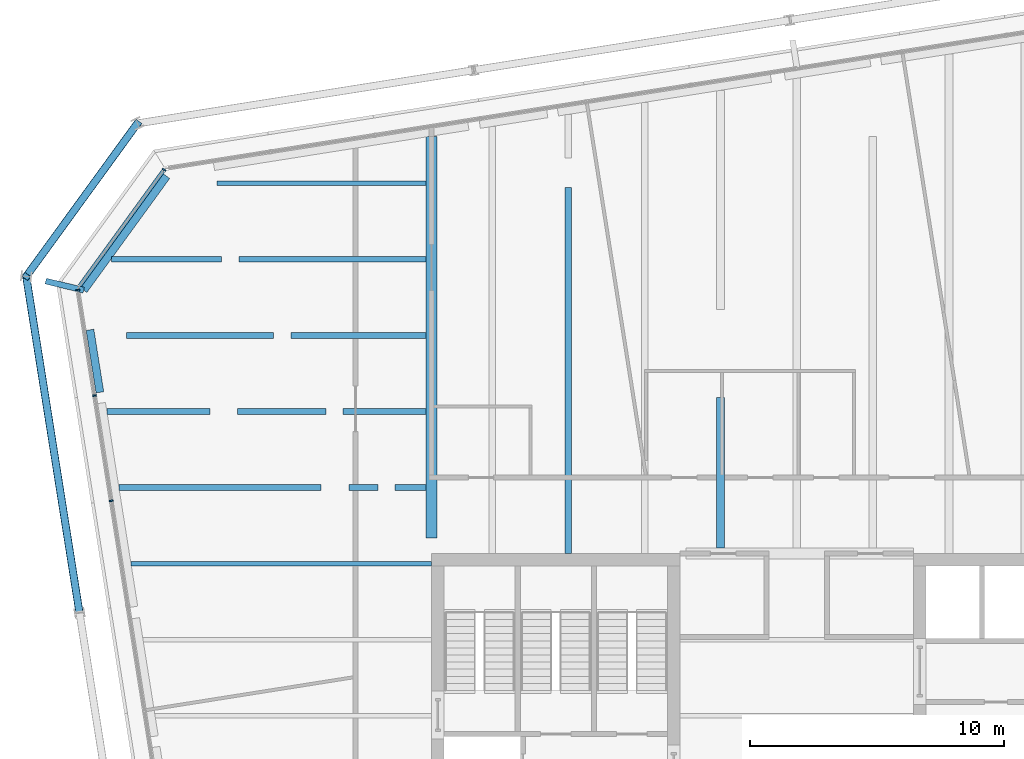
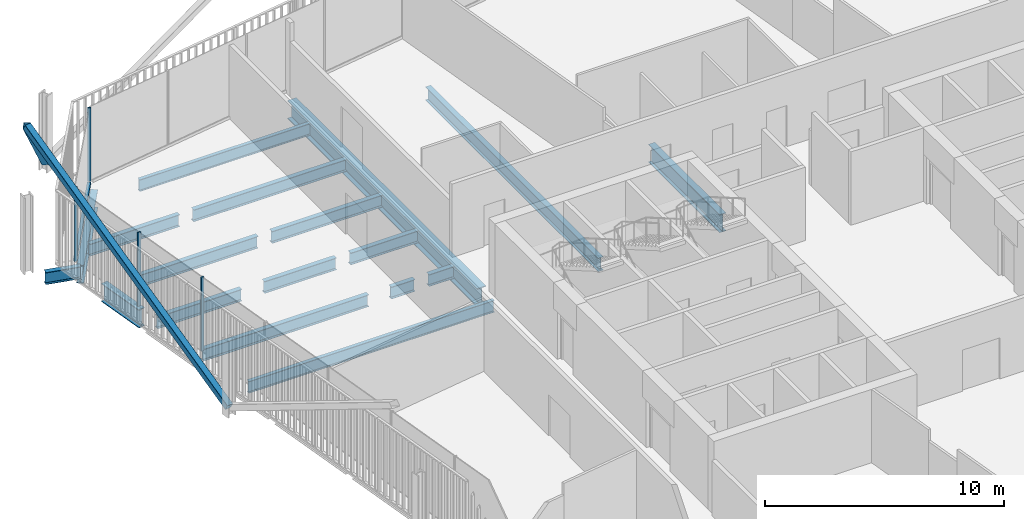
# One storey, part 10 of 20: 18 beams, 7 members, 2 elements without a shape of their own.
"""IFC4 building model written with IfcOpenShell, lengths in metres."""

from ifc_helpers import new_model, si_unit, direction, frame, origin, origin_2d, place, context, subcontext, project, spatial, rectangle, hollow_rectangle, i_section, extrude, material, layer, layer_set, material_profile, profile_set, type_object, element, aggregate, save


model = new_model("IFC4")

# Units and contexts
model_context = context("Model", 3, precision=1e-05, world=origin(), true_north=direction((0.0, 1.0)))
body_context = subcontext(model_context, "Body", "Model", "MODEL_VIEW")
ifc_project = project(units=[si_unit("LENGTHUNIT", "METRE"), si_unit("AREAUNIT", "SQUARE_METRE"), si_unit("VOLUMEUNIT", "CUBIC_METRE"), si_unit("PLANEANGLEUNIT", "RADIAN"), si_unit("MASSUNIT", "GRAM", prefix="KILO")], contexts=[model_context])

# Site, building, storey
site_placement = place(None, origin())
site = spatial("IfcSite", under=ifc_project, at=site_placement, CompositionType="ELEMENT")
building_placement = place(site_placement, origin())
building = spatial("IfcBuilding", under=site, at=building_placement, Name="Millrace Tower", CompositionType="ELEMENT")
storey_placement = place(building_placement, frame((0.0, 0.0, 204.699951171875)))
storey = spatial("IfcBuildingStorey", under=building, at=storey_placement, Name="L46", CompositionType="ELEMENT", Elevation=204.699951171875)

# Curtain wall, member
ifc_material_1 = material(Name="Aluminium and glass", Category="aluminium")
ifc_layer = layer(ifc_material_1, 0.14990234375)
ifc_layer_set = layer_set([ifc_layer], Name="Aluminium and glass")
curtain_wall_type = type_object("IfcCurtainWallType", Name="CW-1 office vision curtain wall", PredefinedType="NOTDEFINED", material=ifc_layer_set)
placement = place(storey_placement, origin())
curtain_wall_1 = element("IfcCurtainWall", 1, at=placement, inside=storey, type_object=curtain_wall_type, Name="Curtain wall D-F07 L46", PredefinedType="NOTDEFINED")
ifc_material_2 = material(Name="Aluminium", Category="aluminium")
ifc_material_profile_1 = material_profile(ifc_material_2, rectangle(XDim=0.06494140625, YDim=0.14990234375, at=origin_2d()))
ifc_profile_set_1 = profile_set([ifc_material_profile_1], Name="Aluminium")
member_type_1 = type_object("IfcMemberType", Name="CW-1 office vision curtain wall mullion", PredefinedType="MULLION", material=ifc_profile_set_1)
member_1_placement = place(storey_placement, frame((-24.945068359375, 24.528076171875, 0.14013671875), z_axis=(0.0, 0.0, 1.0), x_axis=(-0.587785305991, -0.809016955361, 0.0)))
member_1 = element("IfcMember", 2, at=member_1_placement, type_object=member_type_1, Name="CW1 mullion D-F07.1", PredefinedType="MULLION", context=body_context, shape_type="SweptSolid", body=[
    extrude(rectangle(XDim=0.06494140625, YDim=0.14990234375, at=origin_2d()), origin(), (0.0, 0.0, 1.0), 3.760009765625),
])

# Curtain wall, members
curtain_wall_2 = element("IfcCurtainWall", 3, at=placement, inside=storey, type_object=curtain_wall_type, Name="Curtain wall D-F08 L46", PredefinedType="NOTDEFINED")
member_2_placement = place(storey_placement, frame((-28.342529296875, 19.775390625, 0.14013671875), z_axis=(0.0, 0.0, 1.0), x_axis=(0.156434471884, -0.987688339511, 0.0)))
member_2 = element("IfcMember", 4, at=member_2_placement, type_object=member_type_1, Name="CW1 mullion D-F08.1", PredefinedType="MULLION", context=body_context, shape_type="SweptSolid", body=[
    extrude(rectangle(XDim=0.06494140625, YDim=0.14990234375, at=origin_2d()), origin(), (0.0, 0.0, 1.0), 3.760009765625),
])
member_3_placement = place(storey_placement, frame((-27.685302734375, 15.627197265625, 0.14013671875), z_axis=(0.0, 0.0, 1.0), x_axis=(0.156434471884, -0.987688339511, 0.0)))
member_3 = element("IfcMember", 5, at=member_3_placement, type_object=member_type_1, Name="CW1 mullion D-F08.2", PredefinedType="MULLION", context=body_context, shape_type="SweptSolid", body=[
    extrude(rectangle(XDim=0.06494140625, YDim=0.14990234375, at=origin_2d()), origin(), (0.0, 0.0, 1.0), 3.760009765625),
])
member_4_placement = place(storey_placement, frame((-27.0283203125, 11.47900390625, 0.14013671875), z_axis=(0.0, 0.0, 1.0), x_axis=(0.156434471884, -0.987688339511, 0.0)))
member_4 = element("IfcMember", 6, at=member_4_placement, type_object=member_type_1, Name="CW1 mullion D-F08.3", PredefinedType="MULLION", context=body_context, shape_type="SweptSolid", body=[
    extrude(rectangle(XDim=0.06494140625, YDim=0.14990234375, at=origin_2d()), origin(), (0.0, 0.0, 1.0), 3.760009765625),
])
aggregate(curtain_wall_2, [member_2, member_3, member_4])

# Member
ifc_material_3 = material(Name="Aluminium", Category="aluminium")
ifc_material_profile_2 = material_profile(ifc_material_3, rectangle(XDim=0.14990234375, YDim=0.139892578125, at=origin_2d()))
ifc_profile_set_2 = profile_set([ifc_material_profile_2], Name="Aluminium")
member_type_2 = type_object("IfcMemberType", Name="CW-1 office vision curtain wall transom", PredefinedType="USERDEFINED", material=ifc_profile_set_2)
member_5_placement = place(storey_placement, frame((-24.98486328125, 24.473388671875, 0.070068359375), z_axis=(-0.587782670904, -0.809018869857, 0.0), x_axis=(0.809018869857, -0.587782670904, 0.0)))
member_5 = element("IfcMember", 7, at=member_5_placement, type_object=member_type_2, Name="CW1 transom D-F07.1", ObjectType="TRANSOM", PredefinedType="USERDEFINED", context=body_context, shape_type="SweptSolid", body=[
    extrude(rectangle(XDim=0.14990234375, YDim=0.139892578125, at=origin_2d()), origin(), (0.0, 0.0, 1.0), 5.59814453125),
])

aggregate(curtain_wall_1, [member_1, member_5])

# Members
ifc_material_4 = material(Name="Steel ASTM A500 Grade C", Category="steel")
ifc_material_profile_3 = material_profile(ifc_material_4, hollow_rectangle(XDim=0.3046875, YDim=0.3046875, WallThickness=0.0126953125, InnerFilletRadius=0.00634765625, OuterFilletRadius=0.01904296875, at=origin_2d()))
ifc_profile_set_3 = profile_set([ifc_material_profile_3], Name="Steel ASTM A500 Grade C")
member_type_3 = type_object("IfcMemberType", Name="Exoskeleton brace HSS12x12x1/2", PredefinedType="BRACE", material=ifc_profile_set_3)
member_6_placement = place(storey_placement, frame((-25.996337890625, 26.35595703125, 0.400146484375), z_axis=(-0.42850795905, -0.589774395252, 0.684504997598), x_axis=(0.809009310944, -0.587795827483, 0.0)))
element("IfcMember", 8, at=member_6_placement, inside=storey, type_object=member_type_3, Name="BRC-D-L46-13", PredefinedType="BRACE", context=body_context, shape_type="SweptSolid", body=[
    extrude(hollow_rectangle(XDim=0.3046875, YDim=0.3046875, WallThickness=0.0126953125, InnerFilletRadius=0.00634765625, OuterFilletRadius=0.01904296875, at=origin_2d()), origin(), (0.0, 0.0, 1.0), 10.226318359375),
])
member_7_placement = place(storey_placement, frame((-28.27783203125, 7.0615234375, 0.400146484375), z_axis=(-0.138712380788, 0.87583551821, 0.462245627841), x_axis=(-0.987689444837, -0.156427492975, 0.0)))
element("IfcMember", 9, at=member_7_placement, inside=storey, type_object=member_type_3, Name="BRC-D-L46-14", PredefinedType="BRACE", context=body_context, shape_type="SweptSolid", body=[
    extrude(hollow_rectangle(XDim=0.3046875, YDim=0.3046875, WallThickness=0.0126953125, InnerFilletRadius=0.00634765625, OuterFilletRadius=0.01904296875, at=origin_2d()), origin(), (0.0, 0.0, 1.0), 15.1435546875),
])

# Beams
ifc_material_5 = material(Name="Steel ASTM A992 Grade 50", Category="steel")
ifc_material_profile_4 = material_profile(ifc_material_5, i_section(OverallWidth=0.1787109375, OverallDepth=0.60205078125, WebThickness=0.010986328125, FlangeThickness=0.014892578125, FilletRadius=0.0126953125, at=origin_2d()))
ifc_profile_set_4 = profile_set([ifc_material_profile_4], Name="Steel ASTM A992 Grade 50")
beam_type_1 = type_object("IfcBeamType", Name="Floor beam W24x62", PredefinedType="JOIST", material=ifc_profile_set_4)
beam_1_placement = place(storey_placement, frame((-26.248779296875, 9.0, -0.4609375), z_axis=(1.0, 0.0, 0.0), x_axis=(0.0, 1.0, 0.0)))
element("IfcBeam", 10, at=beam_1_placement, inside=storey, type_object=beam_type_1, Name="BM-D-L46-S1-S023", PredefinedType="JOIST", context=body_context, shape_type="SweptSolid", body=[
    extrude(i_section(OverallWidth=0.1787109375, OverallDepth=0.60205078125, WebThickness=0.010986328125, FlangeThickness=0.014892578125, FilletRadius=0.0126953125, at=origin_2d()), origin(), (0.0, 0.0, 1.0), 11.848876953125),
])
beam_2_placement = place(storey_placement, frame((-22.857421875, 24.0, -0.4609375), z_axis=(1.0, 0.0, 0.0), x_axis=(0.0, 1.0, 0.0)))
element("IfcBeam", 11, at=beam_2_placement, inside=storey, type_object=beam_type_1, Name="BM-D-L46-S1-S033-b", PredefinedType="JOIST", context=body_context, shape_type="SweptSolid", body=[
    extrude(i_section(OverallWidth=0.1787109375, OverallDepth=0.60205078125, WebThickness=0.010986328125, FlangeThickness=0.014892578125, FilletRadius=0.0126953125, at=origin_2d()), origin(), (0.0, 0.0, 1.0), 8.247802734375),
])
ifc_material_6 = material(Name="Steel ASTM A992 Grade 50", Category="steel")
ifc_material_profile_5 = material_profile(ifc_material_6, i_section(OverallWidth=0.228271484375, OverallDepth=0.607177734375, WebThickness=0.01123046875, FlangeThickness=0.017333984375, FilletRadius=0.0126953125, at=origin_2d()))
ifc_profile_set_5 = profile_set([ifc_material_profile_5], Name="Steel ASTM A992 Grade 50")
beam_type_2 = type_object("IfcBeamType", Name="Floor beam W24x76", PredefinedType="JOIST", material=ifc_profile_set_5)
beam_3_placement = place(storey_placement, frame((-15.8388671875, 12.0, -0.46337890625), z_axis=(1.0, 0.0, 0.0), x_axis=(0.0, 1.0, 0.0)))
element("IfcBeam", 12, at=beam_3_placement, inside=storey, type_object=beam_type_2, Name="BM-D-L46-S1-S025-b", PredefinedType="JOIST", context=body_context, shape_type="SweptSolid", body=[
    extrude(i_section(OverallWidth=0.228271484375, OverallDepth=0.607177734375, WebThickness=0.01123046875, FlangeThickness=0.017333984375, FilletRadius=0.0126953125, at=origin_2d()), origin(), (0.0, 0.0, 1.0), 1.229248046875),
])
beam_4_placement = place(storey_placement, frame((-17.890625, 15.0, -0.46337890625), z_axis=(1.0, 0.0, 0.0), x_axis=(0.0, 1.0, 0.0)))
element("IfcBeam", 13, at=beam_4_placement, inside=storey, type_object=beam_type_2, Name="BM-D-L46-S1-S027-b", PredefinedType="JOIST", context=body_context, shape_type="SweptSolid", body=[
    extrude(i_section(OverallWidth=0.228271484375, OverallDepth=0.607177734375, WebThickness=0.01123046875, FlangeThickness=0.017333984375, FilletRadius=0.0126953125, at=origin_2d()), origin(), (0.0, 0.0, 1.0), 3.281005859375),
])
beam_5_placement = place(storey_placement, frame((-19.9423828125, 18.0, -0.46337890625), z_axis=(1.0, 0.0, 0.0), x_axis=(0.0, 1.0, 0.0)))
element("IfcBeam", 14, at=beam_5_placement, inside=storey, type_object=beam_type_2, Name="BM-D-L46-S1-S029-b", PredefinedType="JOIST", context=body_context, shape_type="SweptSolid", body=[
    extrude(i_section(OverallWidth=0.228271484375, OverallDepth=0.607177734375, WebThickness=0.01123046875, FlangeThickness=0.017333984375, FilletRadius=0.0126953125, at=origin_2d()), origin(), (0.0, 0.0, 1.0), 5.332763671875),
])
beam_6_placement = place(storey_placement, frame((-26.723876953125, 12.0, -0.46337890625), z_axis=(1.0, 0.0, 0.0), x_axis=(0.0, 1.0, 0.0)))
element("IfcBeam", 15, at=beam_6_placement, inside=storey, type_object=beam_type_2, Name="BM-D-L46-S1-S025-a-a", PredefinedType="JOIST", context=body_context, shape_type="SweptSolid", body=[
    extrude(i_section(OverallWidth=0.228271484375, OverallDepth=0.607177734375, WebThickness=0.01123046875, FlangeThickness=0.017333984375, FilletRadius=0.0126953125, at=origin_2d()), origin(), (0.0, 0.0, 1.0), 7.97509765625),
])
beam_7_placement = place(storey_placement, frame((-17.65673828125, 12.0, -0.46337890625), z_axis=(1.0, 0.0, 0.0), x_axis=(0.0, 1.0, 0.0)))
element("IfcBeam", 16, at=beam_7_placement, inside=storey, type_object=beam_type_2, Name="BM-D-L46-S1-S025-a-b", PredefinedType="JOIST", context=body_context, shape_type="SweptSolid", body=[
    extrude(i_section(OverallWidth=0.228271484375, OverallDepth=0.607177734375, WebThickness=0.01123046875, FlangeThickness=0.017333984375, FilletRadius=0.0126953125, at=origin_2d()), origin(), (0.0, 0.0, 1.0), 1.139404296875),
])
beam_8_placement = place(storey_placement, frame((-27.198974609375, 15.0, -0.46337890625), z_axis=(1.0, 0.0, 0.0), x_axis=(0.0, 1.0, 0.0)))
element("IfcBeam", 17, at=beam_8_placement, inside=storey, type_object=beam_type_2, Name="BM-D-L46-S1-S027-a-a", PredefinedType="JOIST", context=body_context, shape_type="SweptSolid", body=[
    extrude(i_section(OverallWidth=0.228271484375, OverallDepth=0.607177734375, WebThickness=0.01123046875, FlangeThickness=0.017333984375, FilletRadius=0.0126953125, at=origin_2d()), origin(), (0.0, 0.0, 1.0), 4.062255859375),
])
beam_9_placement = place(storey_placement, frame((-22.04443359375, 15.0, -0.46337890625), z_axis=(1.0, 0.0, 0.0), x_axis=(0.0, 1.0, 0.0)))
element("IfcBeam", 18, at=beam_9_placement, inside=storey, type_object=beam_type_2, Name="BM-D-L46-S1-S027-a-b", PredefinedType="JOIST", context=body_context, shape_type="SweptSolid", body=[
    extrude(i_section(OverallWidth=0.228271484375, OverallDepth=0.607177734375, WebThickness=0.01123046875, FlangeThickness=0.017333984375, FilletRadius=0.0126953125, at=origin_2d()), origin(), (0.0, 0.0, 1.0), 3.475341796875),
])
beam_10_placement = place(storey_placement, frame((-26.432373046875, 18.0, -0.46337890625), z_axis=(1.0, 0.0, 0.0), x_axis=(0.0, 1.0, 0.0)))
element("IfcBeam", 19, at=beam_10_placement, inside=storey, type_object=beam_type_2, Name="BM-D-L46-S1-S029-a", PredefinedType="JOIST", context=body_context, shape_type="SweptSolid", body=[
    extrude(i_section(OverallWidth=0.228271484375, OverallDepth=0.607177734375, WebThickness=0.01123046875, FlangeThickness=0.017333984375, FilletRadius=0.0126953125, at=origin_2d()), origin(), (0.0, 0.0, 1.0), 5.8115234375),
])
beam_11_placement = place(storey_placement, frame((-27.0078125, 21.0, -0.46337890625), z_axis=(1.0, 0.0, 0.0), x_axis=(0.0, 1.0, 0.0)))
element("IfcBeam", 20, at=beam_11_placement, inside=storey, type_object=beam_type_2, Name="BM-D-L46-S1-S031-a", PredefinedType="JOIST", context=body_context, shape_type="SweptSolid", body=[
    extrude(i_section(OverallWidth=0.228271484375, OverallDepth=0.607177734375, WebThickness=0.01123046875, FlangeThickness=0.017333984375, FilletRadius=0.0126953125, at=origin_2d()), origin(), (0.0, 0.0, 1.0), 4.335205078125),
])
beam_12_placement = place(storey_placement, frame((-21.994140625, 21.0, -0.46337890625), z_axis=(1.0, 0.0, 0.0), x_axis=(0.0, 1.0, 0.0)))
element("IfcBeam", 21, at=beam_12_placement, inside=storey, type_object=beam_type_2, Name="BM-D-L46-S1-S031-b", PredefinedType="JOIST", context=body_context, shape_type="SweptSolid", body=[
    extrude(i_section(OverallWidth=0.228271484375, OverallDepth=0.607177734375, WebThickness=0.01123046875, FlangeThickness=0.017333984375, FilletRadius=0.0126953125, at=origin_2d()), origin(), (0.0, 0.0, 1.0), 7.384521484375),
])
ifc_material_7 = material(Name="Steel ASTM A992 Grade 50", Category="steel")
ifc_material_profile_6 = material_profile(ifc_material_7, i_section(OverallWidth=0.256591796875, OverallDepth=0.693359375, WebThickness=0.014404296875, FlangeThickness=0.023681640625, FilletRadius=0.01513671875, at=origin_2d()))
ifc_profile_set_6 = profile_set([ifc_material_profile_6], Name="Steel ASTM A992 Grade 50")
beam_type_3 = type_object("IfcBeamType", Name="Floor beam W27x114", PredefinedType="JOIST", material=ifc_profile_set_6)
beam_13_placement = place(storey_placement, frame((-9.0, 9.39990234375, -0.506591796875), z_axis=(0.0, 1.0, 0.0), x_axis=(-1.0, 0.0, 0.0)))
element("IfcBeam", 22, at=beam_13_placement, inside=storey, type_object=beam_type_3, Name="BM-D-L46-S1-S038-a", PredefinedType="JOIST", context=body_context, shape_type="SweptSolid", body=[
    extrude(i_section(OverallWidth=0.256591796875, OverallDepth=0.693359375, WebThickness=0.014404296875, FlangeThickness=0.023681640625, FilletRadius=0.01513671875, at=origin_2d()), origin(), (0.0, 0.0, 1.0), 14.4306640625),
])
ifc_material_8 = material(Name="Steel ASTM A992 Grade 50", Category="steel")
ifc_material_profile_7 = material_profile(ifc_material_8, i_section(OverallWidth=0.307373046875, OverallDepth=0.927001953125, WebThickness=0.01953125, FlangeThickness=0.031982421875, FilletRadius=0.01904296875, at=origin_2d()))
ifc_profile_set_7 = profile_set([ifc_material_profile_7], Name="Steel ASTM A992 Grade 50")
beam_type_4 = type_object("IfcBeamType", Name="Floor beam W36x194", PredefinedType="JOIST", material=ifc_profile_set_7)
beam_14_placement = place(storey_placement, frame((-3.0, 9.609619140625, -0.62353515625), z_axis=(0.0, 1.0, 0.0), x_axis=(-1.0, 0.0, 0.0)))
element("IfcBeam", 23, at=beam_14_placement, inside=storey, type_object=beam_type_4, Name="BM-D-L46-S1-S042-a", PredefinedType="JOIST", context=body_context, shape_type="SweptSolid", body=[
    extrude(i_section(OverallWidth=0.307373046875, OverallDepth=0.927001953125, WebThickness=0.01953125, FlangeThickness=0.031982421875, FilletRadius=0.01904296875, at=origin_2d()), origin(), (0.0, 0.0, 1.0), 5.933837890625),
])
ifc_material_9 = material(Name="Steel ASTM A992 Grade 50", Category="steel")
ifc_material_profile_8 = material_profile(ifc_material_9, i_section(OverallWidth=0.424072265625, OverallDepth=0.947509765625, WebThickness=0.02392578125, FlangeThickness=0.042724609375, FilletRadius=0.024169921875, at=origin_2d()))
ifc_profile_set_8 = profile_set([ifc_material_profile_8], Name="Steel ASTM A992 Grade 50")
beam_type_5 = type_object("IfcBeamType", Name="Girder medium span W36x302", PredefinedType="BEAM", material=ifc_profile_set_8)
beam_15_placement = place(storey_placement, frame((-14.39990234375, 10.0078125, -0.633544921875), z_axis=(0.0, 1.0, 0.0), x_axis=(-1.0, 0.0, 0.0)))
element("IfcBeam", 24, at=beam_15_placement, inside=storey, type_object=beam_type_5, Name="BM-D-L46-S1-G054", PredefinedType="BEAM", context=body_context, shape_type="SweptSolid", body=[
    extrude(i_section(OverallWidth=0.424072265625, OverallDepth=0.947509765625, WebThickness=0.02392578125, FlangeThickness=0.042724609375, FilletRadius=0.024169921875, at=origin_2d()), origin(), (0.0, 0.0, 1.0), 15.8408203125),
])
ifc_material_10 = material(Name="Steel ASTM A992 Grade 50", Category="steel")
ifc_material_profile_9 = material_profile(ifc_material_10, i_section(OverallWidth=0.23046875, OverallDepth=0.6171875, WebThickness=0.01318359375, FlangeThickness=0.022216796875, FilletRadius=0.012939453125, at=origin_2d()))
ifc_profile_set_9 = profile_set([ifc_material_profile_9], Name="Steel ASTM A992 Grade 50")
beam_type_6 = type_object("IfcBeamType", Name="Link beam W24x94", PredefinedType="BEAM", material=ifc_profile_set_9)
beam_16_placement = place(storey_placement, frame((-28.11181640625, 19.780517578125, -0.468505859375), z_axis=(-0.972367143633, 0.233456929608, 0.0), x_axis=(-0.233456929608, -0.972367143633, 0.0)))
element("IfcBeam", 25, at=beam_16_placement, inside=storey, type_object=beam_type_6, Name="LNK-D-L46-S1-04", PredefinedType="BEAM", context=body_context, shape_type="SweptSolid", body=[
    extrude(i_section(OverallWidth=0.23046875, OverallDepth=0.6171875, WebThickness=0.01318359375, FlangeThickness=0.022216796875, FilletRadius=0.012939453125, at=origin_2d()), origin(), (0.0, 0.0, 1.0), 1.539306640625),
])
ifc_material_11 = material(Name="Steel ASTM A992 Grade 50", Category="steel")
ifc_material_profile_10 = material_profile(ifc_material_11, i_section(OverallWidth=0.307373046875, OverallDepth=0.927001953125, WebThickness=0.01953125, FlangeThickness=0.031982421875, FilletRadius=0.01904296875, at=origin_2d()))
ifc_profile_set_10 = profile_set([ifc_material_profile_10], Name="Steel ASTM A992 Grade 50")
beam_type_7 = type_object("IfcBeamType", Name="Ring beam short span W36x194", PredefinedType="SPANDREL", material=ifc_profile_set_10)
beam_17_placement = place(storey_placement, frame((-28.11181640625, 19.780517578125, -0.62353515625), z_axis=(0.587813796932, 0.808996254711, 0.0), x_axis=(-0.808996254711, 0.587813796932, 0.0)))
element("IfcBeam", 26, at=beam_17_placement, inside=storey, type_object=beam_type_7, Name="RNG-D-L46-S1-04", PredefinedType="SPANDREL", context=body_context, shape_type="SweptSolid", body=[
    extrude(i_section(OverallWidth=0.307373046875, OverallDepth=0.927001953125, WebThickness=0.01953125, FlangeThickness=0.031982421875, FilletRadius=0.01904296875, at=origin_2d()), origin(), (0.0, 0.0, 1.0), 5.5576171875),
])
beam_18_placement = place(storey_placement, frame((-27.47412109375, 15.7548828125, -0.62353515625), z_axis=(-0.156475117384, 0.987681901039, 0.0), x_axis=(-0.987681901039, -0.156475117384, 0.0)))
element("IfcBeam", 27, at=beam_18_placement, inside=storey, type_object=beam_type_7, Name="RNG-D-L46-S1-03-b", PredefinedType="SPANDREL", context=body_context, shape_type="SweptSolid", body=[
    extrude(i_section(OverallWidth=0.307373046875, OverallDepth=0.927001953125, WebThickness=0.01953125, FlangeThickness=0.031982421875, FilletRadius=0.01904296875, at=origin_2d()), origin(), (0.0, 0.0, 1.0), 2.494873046875),
])

save(model, "model.ifc")
